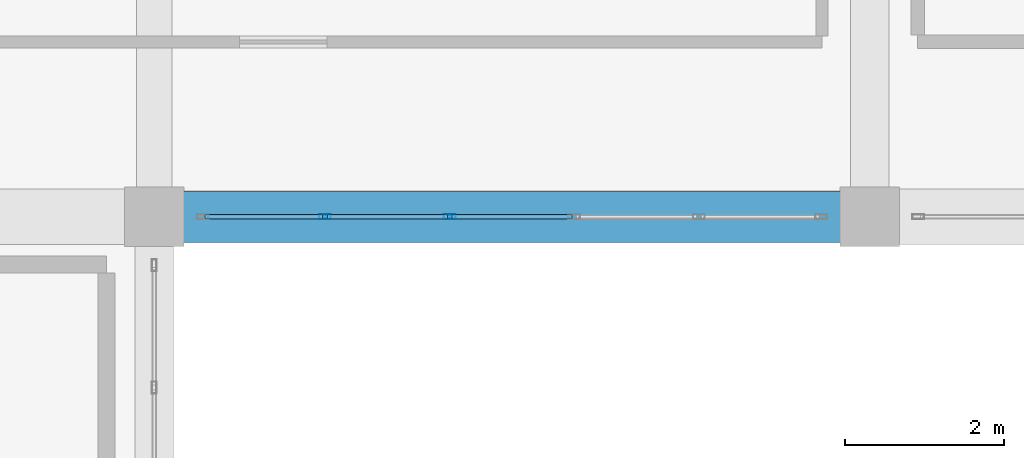
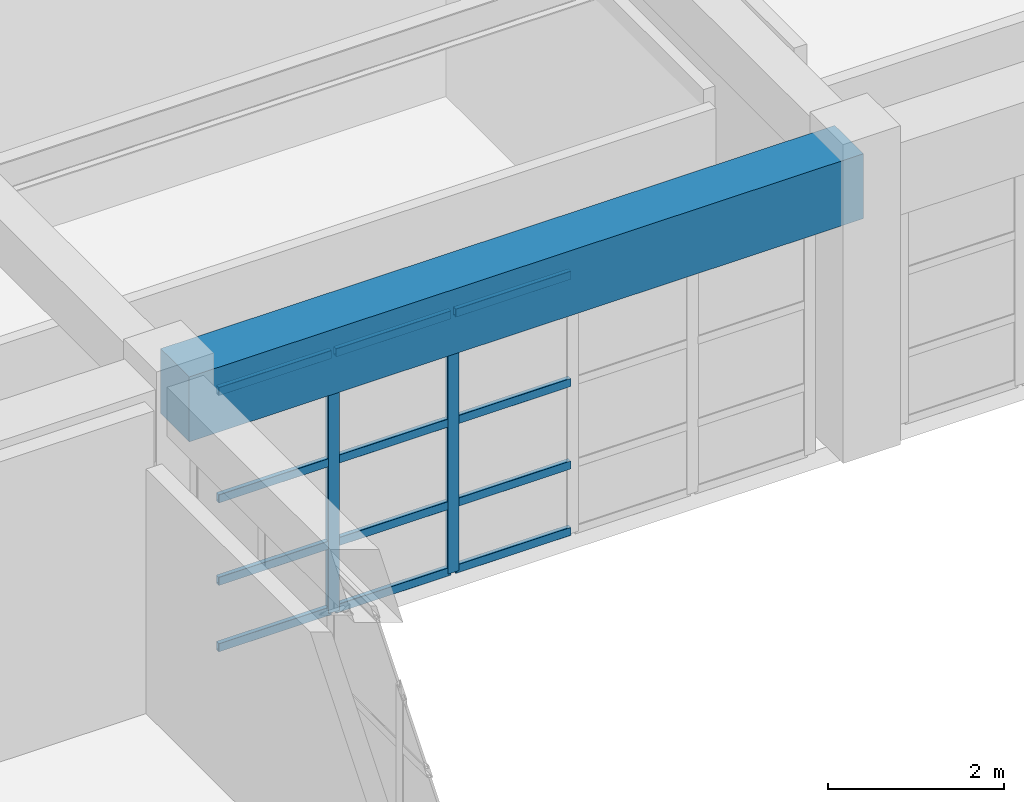
# One storey, part 65 of 133: 14 members, 1 beam, 1 element without a shape of its own.
"""IFC4 building model written with IfcOpenShell, lengths in metres."""

from ifc_helpers import new_model, si_unit, direction, frame, origin, origin_2d, place, context, subcontext, project, spatial, rectangle, hollow_rectangle, extrude, material, material_profile, profile_set, type_object, element, aggregate, save


model = new_model("IFC4")

# Units and contexts
model_context = context("Model", 3, precision=1e-05, world=origin(), true_north=direction((0.0, 1.0)))
body_context = subcontext(model_context, "Body", "Model", "MODEL_VIEW")
ifc_project = project(units=[si_unit("LENGTHUNIT", "METRE"), si_unit("AREAUNIT", "SQUARE_METRE"), si_unit("VOLUMEUNIT", "CUBIC_METRE"), si_unit("PLANEANGLEUNIT", "RADIAN"), si_unit("MASSUNIT", "GRAM", prefix="KILO")], contexts=[model_context])

# Site, building, storey
site_placement = place(None, origin())
site = spatial("IfcSite", under=ifc_project, at=site_placement, CompositionType="ELEMENT")
building_placement = place(site_placement, origin())
building = spatial("IfcBuilding", under=site, at=building_placement, Name="Miravela Opera House", CompositionType="ELEMENT")
storey_placement = place(building_placement, frame((0.0, 0.0, 5.10009765625)))
storey = spatial("IfcBuildingStorey", under=building, at=storey_placement, Name="L01", CompositionType="ELEMENT", Elevation=5.10009765625)

# Curtain wall, members
ifc_material_1 = material(Name="Anodised architectural bronze aluminium 6063-T6", Category="aluminium")
curtain_wall_type = type_object("IfcCurtainWallType", Name="ARC-CW-05", PredefinedType="NOTDEFINED", material=ifc_material_1)
curtain_wall_placement = place(storey_placement, origin())
curtain_wall = element("IfcCurtainWall", 1, at=curtain_wall_placement, inside=storey, type_object=curtain_wall_type, Name="Courtyard Arcade Curtain Wall CW-L01-078", PredefinedType="NOTDEFINED")
ifc_material_profile_1 = material_profile(ifc_material_1, hollow_rectangle(XDim=0.06005859375, YDim=0.14990234375, WallThickness=0.00390625, InnerFilletRadius=0.001953125, OuterFilletRadius=0.00390625, at=origin_2d()), Name="CWM-60X150")
ifc_profile_set_1 = profile_set([ifc_material_profile_1])
member_type_1 = type_object("IfcMemberType", Name="ARC-CWM-150", PredefinedType="MULLION", material=ifc_profile_set_1)
member_1_placement = place(storey_placement, frame((29.14794921875, 103.0, 0.0), z_axis=(0.0, 0.0, 1.0), x_axis=(0.0, 1.0, 0.0)))
member_1 = element("IfcMember", 2, at=member_1_placement, type_object=member_type_1, Name="CW-05 mullion 2", PredefinedType="MULLION", context=body_context, shape_type="SweptSolid", body=[
    extrude(hollow_rectangle(XDim=0.06005859375, YDim=0.14990234375, WallThickness=0.00390625, InnerFilletRadius=0.001953125, OuterFilletRadius=0.00390625, at=origin_2d()), origin(), (0.0, 0.0, 1.0), 3.60986328125),
])
member_2_placement = place(storey_placement, frame((30.716064453125, 103.0, 0.0), z_axis=(0.0, 0.0, 1.0), x_axis=(0.0, 1.0, 0.0)))
member_2 = element("IfcMember", 3, at=member_2_placement, type_object=member_type_1, Name="CW-05 mullion 3", PredefinedType="MULLION", context=body_context, shape_type="SweptSolid", body=[
    extrude(hollow_rectangle(XDim=0.06005859375, YDim=0.14990234375, WallThickness=0.00390625, InnerFilletRadius=0.001953125, OuterFilletRadius=0.00390625, at=origin_2d()), origin(), (0.0, 0.0, 1.0), 3.60986328125),
])
ifc_material_profile_2 = material_profile(ifc_material_1, hollow_rectangle(XDim=0.06005859375, YDim=0.114990234375, WallThickness=0.00390625, InnerFilletRadius=0.001953125, OuterFilletRadius=0.00390625, at=origin_2d()), Name="CWT-60X115")
ifc_profile_set_2 = profile_set([ifc_material_profile_2])
member_type_2 = type_object("IfcMemberType", Name="ARC-CWT-115", PredefinedType="USERDEFINED", material=ifc_profile_set_2)
member_3_placement = place(storey_placement, frame((27.639892578125, 103.0, 0.02978515625), z_axis=(1.0, 0.0, 0.0), x_axis=(0.0, 1.0, 0.0)))
member_3 = element("IfcMember", 4, at=member_3_placement, type_object=member_type_2, Name="CW-05 transom 1.1", ObjectType="TRANSOM", PredefinedType="USERDEFINED", context=body_context, shape_type="SweptSolid", body=[
    extrude(hollow_rectangle(XDim=0.06005859375, YDim=0.114990234375, WallThickness=0.00390625, InnerFilletRadius=0.001953125, OuterFilletRadius=0.00390625, at=origin_2d()), origin(), (0.0, 0.0, 1.0), 1.47802734375),
])
member_4_placement = place(storey_placement, frame((27.639892578125, 103.0, 0.949951171875), z_axis=(1.0, 0.0, 0.0), x_axis=(0.0, 1.0, 0.0)))
member_4 = element("IfcMember", 5, at=member_4_placement, type_object=member_type_2, Name="CW-05 transom 1.2", ObjectType="TRANSOM", PredefinedType="USERDEFINED", context=body_context, shape_type="SweptSolid", body=[
    extrude(hollow_rectangle(XDim=0.06005859375, YDim=0.114990234375, WallThickness=0.00390625, InnerFilletRadius=0.001953125, OuterFilletRadius=0.00390625, at=origin_2d()), origin(), (0.0, 0.0, 1.0), 1.47802734375),
])
member_5_placement = place(storey_placement, frame((27.639892578125, 103.0, 2.09375), z_axis=(1.0, 0.0, 0.0), x_axis=(0.0, 1.0, 0.0)))
member_5 = element("IfcMember", 6, at=member_5_placement, type_object=member_type_2, Name="CW-05 transom 1.3", ObjectType="TRANSOM", PredefinedType="USERDEFINED", context=body_context, shape_type="SweptSolid", body=[
    extrude(hollow_rectangle(XDim=0.06005859375, YDim=0.114990234375, WallThickness=0.00390625, InnerFilletRadius=0.001953125, OuterFilletRadius=0.00390625, at=origin_2d()), origin(), (0.0, 0.0, 1.0), 1.47802734375),
])
member_6_placement = place(storey_placement, frame((27.639892578125, 103.0, 3.579833984375), z_axis=(1.0, 0.0, 0.0), x_axis=(0.0, 1.0, 0.0)))
member_6 = element("IfcMember", 7, at=member_6_placement, type_object=member_type_2, Name="CW-05 transom 1.4", ObjectType="TRANSOM", PredefinedType="USERDEFINED", context=body_context, shape_type="SweptSolid", body=[
    extrude(hollow_rectangle(XDim=0.06005859375, YDim=0.114990234375, WallThickness=0.00390625, InnerFilletRadius=0.001953125, OuterFilletRadius=0.00390625, at=origin_2d()), origin(), (0.0, 0.0, 1.0), 1.47802734375),
])
member_7_placement = place(storey_placement, frame((29.177978515625, 103.0, 0.02978515625), z_axis=(1.0, 0.0, 0.0), x_axis=(0.0, 1.0, 0.0)))
member_7 = element("IfcMember", 8, at=member_7_placement, type_object=member_type_2, Name="CW-05 transom 2.1", ObjectType="TRANSOM", PredefinedType="USERDEFINED", context=body_context, shape_type="SweptSolid", body=[
    extrude(hollow_rectangle(XDim=0.06005859375, YDim=0.114990234375, WallThickness=0.00390625, InnerFilletRadius=0.001953125, OuterFilletRadius=0.00390625, at=origin_2d()), origin(), (0.0, 0.0, 1.0), 1.508056640625),
])
member_8_placement = place(storey_placement, frame((29.177978515625, 103.0, 0.949951171875), z_axis=(1.0, 0.0, 0.0), x_axis=(0.0, 1.0, 0.0)))
member_8 = element("IfcMember", 9, at=member_8_placement, type_object=member_type_2, Name="CW-05 transom 2.2", ObjectType="TRANSOM", PredefinedType="USERDEFINED", context=body_context, shape_type="SweptSolid", body=[
    extrude(hollow_rectangle(XDim=0.06005859375, YDim=0.114990234375, WallThickness=0.00390625, InnerFilletRadius=0.001953125, OuterFilletRadius=0.00390625, at=origin_2d()), origin(), (0.0, 0.0, 1.0), 1.508056640625),
])
member_9_placement = place(storey_placement, frame((29.177978515625, 103.0, 2.09375), z_axis=(1.0, 0.0, 0.0), x_axis=(0.0, 1.0, 0.0)))
member_9 = element("IfcMember", 10, at=member_9_placement, type_object=member_type_2, Name="CW-05 transom 2.3", ObjectType="TRANSOM", PredefinedType="USERDEFINED", context=body_context, shape_type="SweptSolid", body=[
    extrude(hollow_rectangle(XDim=0.06005859375, YDim=0.114990234375, WallThickness=0.00390625, InnerFilletRadius=0.001953125, OuterFilletRadius=0.00390625, at=origin_2d()), origin(), (0.0, 0.0, 1.0), 1.508056640625),
])
member_10_placement = place(storey_placement, frame((29.177978515625, 103.0, 3.579833984375), z_axis=(1.0, 0.0, 0.0), x_axis=(0.0, 1.0, 0.0)))
member_10 = element("IfcMember", 11, at=member_10_placement, type_object=member_type_2, Name="CW-05 transom 2.4", ObjectType="TRANSOM", PredefinedType="USERDEFINED", context=body_context, shape_type="SweptSolid", body=[
    extrude(hollow_rectangle(XDim=0.06005859375, YDim=0.114990234375, WallThickness=0.00390625, InnerFilletRadius=0.001953125, OuterFilletRadius=0.00390625, at=origin_2d()), origin(), (0.0, 0.0, 1.0), 1.508056640625),
])
member_11_placement = place(storey_placement, frame((30.74609375, 103.0, 0.02978515625), z_axis=(1.0, 0.0, 0.0), x_axis=(0.0, 1.0, 0.0)))
member_11 = element("IfcMember", 12, at=member_11_placement, type_object=member_type_2, Name="CW-05 transom 3.1", ObjectType="TRANSOM", PredefinedType="USERDEFINED", context=body_context, shape_type="SweptSolid", body=[
    extrude(hollow_rectangle(XDim=0.06005859375, YDim=0.114990234375, WallThickness=0.00390625, InnerFilletRadius=0.001953125, OuterFilletRadius=0.00390625, at=origin_2d()), origin(), (0.0, 0.0, 1.0), 1.5078125),
])
member_12_placement = place(storey_placement, frame((30.74609375, 103.0, 0.949951171875), z_axis=(1.0, 0.0, 0.0), x_axis=(0.0, 1.0, 0.0)))
member_12 = element("IfcMember", 13, at=member_12_placement, type_object=member_type_2, Name="CW-05 transom 3.2", ObjectType="TRANSOM", PredefinedType="USERDEFINED", context=body_context, shape_type="SweptSolid", body=[
    extrude(hollow_rectangle(XDim=0.06005859375, YDim=0.114990234375, WallThickness=0.00390625, InnerFilletRadius=0.001953125, OuterFilletRadius=0.00390625, at=origin_2d()), origin(), (0.0, 0.0, 1.0), 1.5078125),
])
member_13_placement = place(storey_placement, frame((30.74609375, 103.0, 2.09375), z_axis=(1.0, 0.0, 0.0), x_axis=(0.0, 1.0, 0.0)))
member_13 = element("IfcMember", 14, at=member_13_placement, type_object=member_type_2, Name="CW-05 transom 3.3", ObjectType="TRANSOM", PredefinedType="USERDEFINED", context=body_context, shape_type="SweptSolid", body=[
    extrude(hollow_rectangle(XDim=0.06005859375, YDim=0.114990234375, WallThickness=0.00390625, InnerFilletRadius=0.001953125, OuterFilletRadius=0.00390625, at=origin_2d()), origin(), (0.0, 0.0, 1.0), 1.5078125),
])
member_14_placement = place(storey_placement, frame((30.74609375, 103.0, 3.579833984375), z_axis=(1.0, 0.0, 0.0), x_axis=(0.0, 1.0, 0.0)))
member_14 = element("IfcMember", 15, at=member_14_placement, type_object=member_type_2, Name="CW-05 transom 3.4", ObjectType="TRANSOM", PredefinedType="USERDEFINED", context=body_context, shape_type="SweptSolid", body=[
    extrude(hollow_rectangle(XDim=0.06005859375, YDim=0.114990234375, WallThickness=0.00390625, InnerFilletRadius=0.001953125, OuterFilletRadius=0.00390625, at=origin_2d()), origin(), (0.0, 0.0, 1.0), 1.5078125),
])
aggregate(curtain_wall, [member_1, member_2, member_3, member_4, member_5, member_6, member_7, member_8, member_9, member_10, member_11, member_12, member_13, member_14])

# Beam
ifc_material_2 = material(Name="Concrete C40/50", Category="concrete")
ifc_material_profile_3 = material_profile(ifc_material_2, rectangle(XDim=0.64990234375, YDim=0.89990234375, at=origin_2d()), Name="RC-BM-650X900")
ifc_profile_set_3 = profile_set([ifc_material_profile_3])
beam_type = type_object("IfcBeamType", Name="STR-BM-RC650X900", PredefinedType="BEAM", material=ifc_profile_set_3)
beam_placement = place(storey_placement, frame((27.080078125, 103.0, 3.7099609375), z_axis=(1.0, 0.0, 0.0), x_axis=(0.0, 1.0, 0.0)))
element("IfcBeam", 16, at=beam_placement, inside=storey, type_object=beam_type, Name="Floor Girder L01 4-5/L", PredefinedType="BEAM", context=body_context, shape_type="SweptSolid", body=[
    extrude(rectangle(XDim=0.64990234375, YDim=0.89990234375, at=origin_2d()), origin(), (0.0, 0.0, 1.0), 8.83984375),
])

save(model, "model.ifc")
